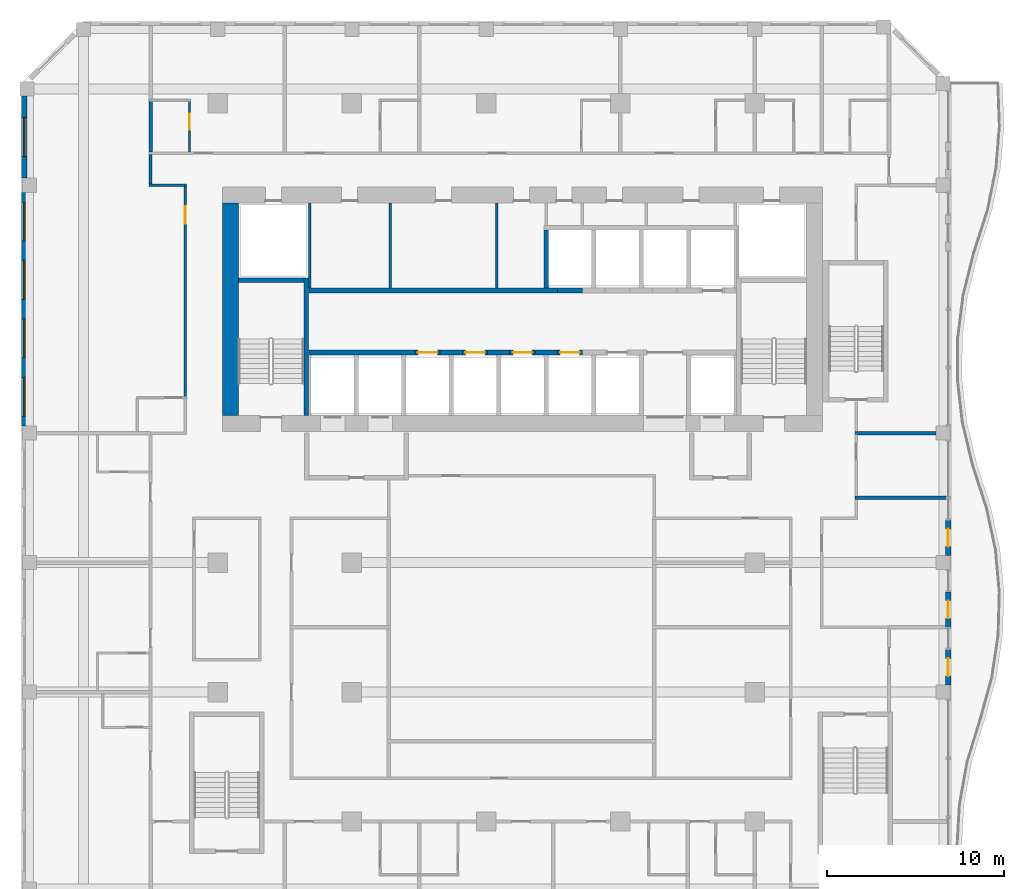
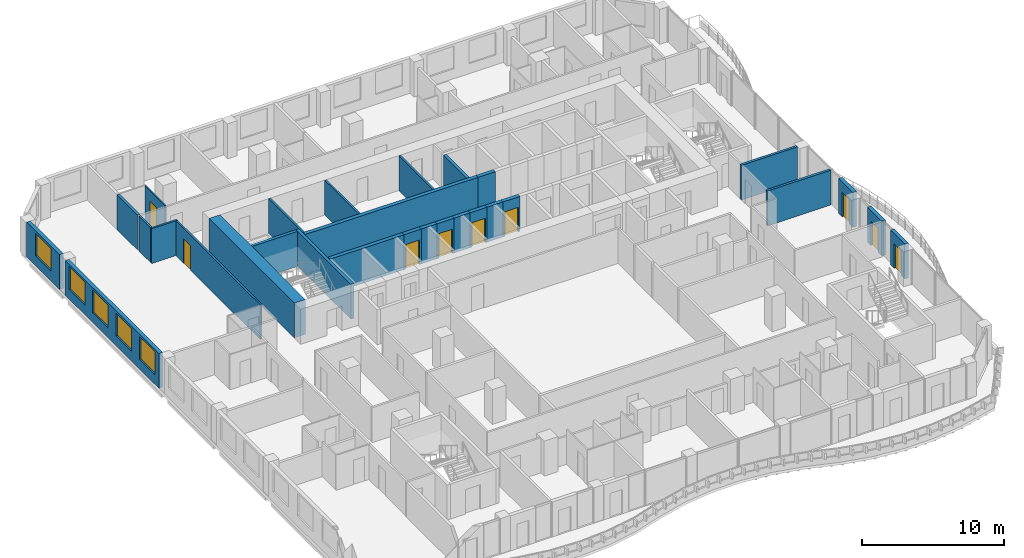
# One storey, part 14 of 23: 29 walls, 9 doors, 5 windows, 14 openings.
"""IFC4 building model written with IfcOpenShell, lengths in metres."""

from ifc_helpers import new_model, si_unit, direction, frame, frame_2d, origin, place, context, subcontext, project, spatial, rectangle, extrude, source, transform, mapped, material, layer, layer_set, type_object, element, fill, save


model = new_model("IFC4")

# Units and contexts
model_context = context("Model", 3, precision=1e-05, world=origin(), true_north=direction((0.0, 1.0)))
body_context = subcontext(model_context, "Body", "Model", "MODEL_VIEW")
ifc_project = project(units=[si_unit("LENGTHUNIT", "METRE"), si_unit("AREAUNIT", "SQUARE_METRE"), si_unit("VOLUMEUNIT", "CUBIC_METRE"), si_unit("PLANEANGLEUNIT", "RADIAN"), si_unit("MASSUNIT", "GRAM", prefix="KILO")], contexts=[model_context])

# Site, building, storey
site_placement = place(None, origin())
site = spatial("IfcSite", under=ifc_project, at=site_placement, CompositionType="ELEMENT")
building_placement = place(site_placement, origin())
building = spatial("IfcBuilding", under=site, at=building_placement, Name="Kilnfold Tower and Market Hall", CompositionType="ELEMENT")
storey_placement = place(building_placement, frame((0.0, 0.0, 160.89990234375)))
storey = spatial("IfcBuildingStorey", under=building, at=storey_placement, Name="L37", CompositionType="ELEMENT", Elevation=160.89990234375)

# Wall, opening, door
ifc_material_1 = material(Name="Gypsum board on steel studs", Category="steel")
ifc_layer_1 = layer(ifc_material_1, 0.14990234375)
ifc_layer_set_1 = layer_set([ifc_layer_1], Name="Gypsum board on steel studs")
wall_type_1 = type_object("IfcWallType", Name="WALL CORRIDOR 150", PredefinedType="PARTITIONING", material=ifc_layer_set_1)
wall_1_placement = place(storey_placement, frame((-18.0, 10.0400390625, 0.0), z_axis=(0.0, 0.0, 1.0), x_axis=(0.0, 1.0, 0.0)))
wall_1 = element("IfcWall", 1, at=wall_1_placement, inside=storey, type_object=wall_type_1, Name="Partition LY24.16", PredefinedType="PARTITIONING", context=body_context, shape_type="SweptSolid", body=[
    extrude(rectangle(XDim=11.885009765625, YDim=0.14990234375, at=frame_2d((5.9423828125, 0.0))), origin(), (0.0, 0.0, 1.0), 3.0),
])
opening_1_placement = place(wall_1_placement, frame((9.778076171875, 0.0, 0.0)))
opening_1 = element("IfcOpeningElement", 2, at=opening_1_placement, cuts=wall_1, Name="Opening D1", PredefinedType="OPENING", context=body_context, shape_type="SweptSolid", body=[
    extrude(rectangle(XDim=1.0, YDim=2.10009765625, at=frame_2d((0.5, 1.050048828125))), frame((0.0, 0.0849609375, 0.0), z_axis=(0.0, -1.0, 0.0), x_axis=(1.0, 0.0, 0.0)), (0.0, 0.0, 1.0), 0.169921875),
])
ifc_material_2 = material(Name="Timber veneer door leaf in steel frame", Category="steel")
door_type_1 = type_object("IfcDoorType", Name="DOOR ENTRY 1000 X2100", OperationType="NOTDEFINED", PredefinedType="DOOR", material=ifc_material_2)
door_1_placement = place(opening_1_placement, origin())
door_1 = element("IfcDoor", 3, at=door_1_placement, inside=storey, type_object=door_type_1, Name="Door D1", OperationType="SINGLE_SWING_RIGHT", OverallHeight=2.10009765625, OverallWidth=1.0, PredefinedType="DOOR", context=body_context, shape_type="SweptSolid", body=[
    extrude(rectangle(XDim=1.0, YDim=2.10009765625, at=frame_2d((0.5, 1.050048828125))), frame((0.0, 0.02490234375, 0.0), z_axis=(0.0, -1.0, 0.0), x_axis=(1.0, 0.0, 0.0)), (0.0, 0.0, 1.0), 0.050048828125),
])
fill(opening_1, door_1)

# Walls
wall_2_placement = place(storey_placement, frame((-20.033935546875, 22.0, 0.0), z_axis=(0.0, 0.0, 1.0), x_axis=(1.0, 0.0, 0.0)))
element("IfcWall", 4, at=wall_2_placement, inside=storey, type_object=wall_type_1, Name="Partition LY24.17", PredefinedType="PARTITIONING", context=body_context, shape_type="SweptSolid", body=[
    extrude(rectangle(XDim=2.10888671875, YDim=0.14990234375, at=frame_2d((1.054443359375, 0.0))), origin(), (0.0, 0.0, 1.0), 3.0),
])
wall_3_placement = place(storey_placement, frame((-19.958984375, 22.074951171875, 0.0), z_axis=(0.0, 0.0, 1.0), x_axis=(0.0, 1.0, 0.0)))
element("IfcWall", 5, at=wall_3_placement, inside=storey, type_object=wall_type_1, Name="Partition LY24.18", PredefinedType="PARTITIONING", context=body_context, shape_type="SweptSolid", body=[
    extrude(rectangle(XDim=1.650146484375, YDim=0.14990234375, at=frame_2d((0.8251953125, 0.0))), origin(), (0.0, 0.0, 1.0), 3.0),
])

# Wall, opening, door
ifc_material_3 = material(Name="Gypsum board on steel studs", Category="steel")
ifc_layer_2 = layer(ifc_material_3, 0.10009765625)
ifc_layer_set_2 = layer_set([ifc_layer_2], Name="Gypsum board on steel studs")
wall_type_2 = type_object("IfcWallType", Name="WALL PARTITION 100", PredefinedType="PARTITIONING", material=ifc_layer_set_2)
wall_4_placement = place(storey_placement, frame((-17.759033203125, 26.751953125, 0.0), z_axis=(0.0, 0.0, 1.0), x_axis=(0.0, -1.0, 0.0)))
wall_4 = element("IfcWall", 6, at=wall_4_placement, inside=storey, type_object=wall_type_2, Name="Partition LY24.78", PredefinedType="PARTITIONING", context=body_context, shape_type="SweptSolid", body=[
    extrude(rectangle(XDim=2.875, YDim=0.10009765625, at=frame_2d((1.4375, 0.0))), origin(), (0.0, 0.0, 1.0), 3.0),
])
opening_2_placement = place(wall_4_placement, frame((0.72509765625, 0.0, 0.0)))
opening_2 = element("IfcOpeningElement", 7, at=opening_2_placement, cuts=wall_4, Name="Opening D3", PredefinedType="OPENING", context=body_context, shape_type="SweptSolid", body=[
    extrude(rectangle(XDim=0.89990234375, YDim=2.10009765625, at=frame_2d((0.449951171875, 1.050048828125))), frame((0.0, 0.06005859375, 0.0), z_axis=(0.0, -1.0, 0.0), x_axis=(1.0, 0.0, 0.0)), (0.0, 0.0, 1.0), 0.1201171875),
])
ifc_material_4 = material(Name="Timber veneer door leaf in steel frame", Category="steel")
door_type_2 = type_object("IfcDoorType", Name="DOOR WC 900 X2100", OperationType="NOTDEFINED", PredefinedType="DOOR", material=ifc_material_4)
door_2_placement = place(opening_2_placement, origin())
door_2 = element("IfcDoor", 8, at=door_2_placement, inside=storey, type_object=door_type_2, Name="Door D3", OperationType="SINGLE_SWING_RIGHT", OverallHeight=2.10009765625, OverallWidth=0.89990234375, PredefinedType="DOOR", context=body_context, shape_type="SweptSolid", body=[
    extrude(rectangle(XDim=0.89990234375, YDim=2.10009765625, at=frame_2d((0.449951171875, 1.050048828125))), frame((0.0, 0.02490234375, 0.0), z_axis=(0.0, -1.0, 0.0), x_axis=(1.0, 0.0, 0.0)), (0.0, 0.0, 1.0), 0.050048828125),
])
fill(opening_2, door_2)

# Walls
ifc_material_5 = material(Name="Gypsum board on steel studs", Category="steel")
ifc_layer_3 = layer(ifc_material_5, 0.199951171875)
ifc_layer_set_3 = layer_set([ifc_layer_3], Name="Gypsum board on steel studs")
wall_type_3 = type_object("IfcWallType", Name="WALL PARTY 200", PredefinedType="PARTITIONING", material=ifc_layer_set_3)
wall_5_placement = place(storey_placement, frame((-19.958984375, 23.876953125, 0.0), z_axis=(0.0, 0.0, 1.0), x_axis=(0.0, 1.0, 0.0)))
element("IfcWall", 9, at=wall_5_placement, inside=storey, type_object=wall_type_3, Name="Partition LY24.77", PredefinedType="PARTITIONING", context=body_context, shape_type="SweptSolid", body=[
    extrude(rectangle(XDim=2.885009765625, YDim=0.199951171875, at=frame_2d((1.4423828125, 0.0))), origin(), (0.0, 0.0, 1.0), 3.0),
])
wall_6_placement = place(storey_placement, frame((19.826904296875, 8.0, 0.0), z_axis=(0.0, 0.0, 1.0), x_axis=(1.0, 0.0, 0.0)))
element("IfcWall", 10, at=wall_6_placement, inside=storey, type_object=wall_type_3, Name="Partition LY24.101", PredefinedType="PARTITIONING", context=body_context, shape_type="SweptSolid", body=[
    extrude(rectangle(XDim=4.572998046875, YDim=0.199951171875, at=frame_2d((2.28662109375, 0.0))), origin(), (0.0, 0.0, 1.0), 3.0),
])
wall_7_placement = place(storey_placement, frame((19.826904296875, 4.343994140625, 0.0), z_axis=(0.0, 0.0, 1.0), x_axis=(1.0, 0.0, 0.0)))
element("IfcWall", 11, at=wall_7_placement, inside=storey, type_object=wall_type_3, Name="Partition LY24.102", PredefinedType="PARTITIONING", context=body_context, shape_type="SweptSolid", body=[
    extrude(rectangle(XDim=5.173095703125, YDim=0.199951171875, at=frame_2d((2.58642578125, 0.0))), origin(), (0.0, 0.0, 1.0), 3.0),
])
ifc_material_6 = material(Name="Concrete C70", Category="concrete")
ifc_layer_4 = layer(ifc_material_6, 0.89990234375)
ifc_layer_set_4 = layer_set([ifc_layer_4], Name="Concrete C70")
wall_type_4 = type_object("IfcWallType", Name="CORE WALL 900 C70", PredefinedType="SHEAR", material=ifc_layer_set_4)
shared_shape_1 = source(origin(), body_context, "Body", "SweptSolid", [
    extrude(rectangle(XDim=12.0, YDim=0.89990234375, at=frame_2d((6.0, 0.0))), origin(), (0.0, 0.0, 1.0), 3.0),
])
wall_8_placement = place(storey_placement, frame((-15.449951171875, 9.0, 0.0), z_axis=(0.0, 0.0, 1.0), x_axis=(0.0, 1.0, 0.0)))
element("IfcWall", 12, at=wall_8_placement, inside=storey, type_object=wall_type_4, Name="Core outer wall west", PredefinedType="SHEAR", context=body_context, shape_type="MappedRepresentation", body=[
    mapped(shared_shape_1, transform((0.0, 0.0, 0.0))),
])
ifc_material_7 = material(Name="Concrete C70", Category="concrete")
ifc_layer_5 = layer(ifc_material_7, 0.25)
ifc_layer_set_5 = layer_set([ifc_layer_5], Name="Concrete C70")
wall_type_5 = type_object("IfcWallType", Name="CORE WALL 250 C70", PredefinedType="SHEAR", material=ifc_layer_set_5)
shared_shape_2 = source(origin(), body_context, "Body", "SweptSolid", [
    extrude(rectangle(XDim=7.75, YDim=0.25, at=frame_2d((3.875, 0.0))), origin(), (0.0, 0.0, 1.0), 3.0),
])
wall_9_placement = place(storey_placement, frame((-11.175048828125, 9.0, 0.0), z_axis=(0.0, 0.0, 1.0), x_axis=(0.0, 1.0, 0.0)))
element("IfcWall", 13, at=wall_9_placement, inside=storey, type_object=wall_type_5, Name="Stair enclosure ST1", PredefinedType="SHEAR", context=body_context, shape_type="MappedRepresentation", body=[
    mapped(shared_shape_2, transform((0.0, 0.0, 0.0))),
])
shared_shape_3 = source(origin(), body_context, "Body", "SweptSolid", [
    extrude(rectangle(XDim=3.699951171875, YDim=0.25, at=frame_2d((1.85009765625, 0.0))), origin(), (0.0, 0.0, 1.0), 3.0),
])
wall_10_placement = place(storey_placement, frame((-15.0, 16.625, 0.0), z_axis=(0.0, 0.0, 1.0), x_axis=(1.0, 0.0, 0.0)))
element("IfcWall", 14, at=wall_10_placement, inside=storey, type_object=wall_type_5, Name="Stair enclosure ST1", PredefinedType="SHEAR", context=body_context, shape_type="MappedRepresentation", body=[
    mapped(shared_shape_3, transform((0.0, 0.0, 0.0))),
])
ifc_material_8 = material(Name="Concrete C70", Category="concrete")
ifc_layer_6 = layer(ifc_material_8, 0.300048828125)
ifc_layer_set_6 = layer_set([ifc_layer_6], Name="Concrete C70")
wall_type_6 = type_object("IfcWallType", Name="CORE WALL 300 C70", PredefinedType="SHEAR", material=ifc_layer_set_6)
shared_shape_4 = source(origin(), body_context, "Body", "SweptSolid", [
    extrude(rectangle(XDim=6.0, YDim=0.300048828125, at=frame_2d((3.0, 0.0))), origin(), (0.0, 0.0, 1.0), 3.0),
])
wall_11_placement = place(storey_placement, frame((-11.010009765625, 12.550048828125, 0.0), z_axis=(0.0, 0.0, 1.0), x_axis=(1.0, 0.0, 0.0)))
element("IfcWall", 15, at=wall_11_placement, inside=storey, type_object=wall_type_6, Name="Core spine wall", PredefinedType="SHEAR", context=body_context, shape_type="MappedRepresentation", body=[
    mapped(shared_shape_4, transform((0.0, 0.0, 0.0))),
])
shared_shape_5 = source(origin(), body_context, "Body", "SweptSolid", [
    extrude(rectangle(XDim=1.280029296875, YDim=0.300048828125, at=frame_2d((0.64013671875, 0.0))), origin(), (0.0, 0.0, 1.0), 3.0),
])
for number, where, z_axis, x_axis, name in (
    (16, (-3.610107421875, 12.550048828125, 0.0), (0.0, 0.0, 1.0), (1.0, 0.0, 0.0), "Core spine wall"),
    (17, (-0.929931640625, 12.550048828125, 0.0), (0.0, 0.0, 1.0), (1.0, 0.0, 0.0), "Core spine wall"),
    (18, (1.75, 12.550048828125, 0.0), (0.0, 0.0, 1.0), (1.0, 0.0, 0.0), "Core spine wall"),
):
    element("IfcWall", number, at=place(storey_placement, frame(where, z_axis=z_axis, x_axis=x_axis)), inside=storey, type_object=wall_type_6, Name=name, PredefinedType="SHEAR", context=body_context, shape_type="MappedRepresentation", body=[
        mapped(shared_shape_5, transform((0.0, 0.0, 0.0))),
    ])
shared_shape_6 = source(origin(), body_context, "Body", "SweptSolid", [
    extrude(rectangle(XDim=14.0400390625, YDim=0.300048828125, at=frame_2d((7.02001953125, 0.0))), origin(), (0.0, 0.0, 1.0), 3.0),
])
wall_12_placement = place(storey_placement, frame((-11.010009765625, 16.050048828125, 0.0), z_axis=(0.0, 0.0, 1.0), x_axis=(1.0, 0.0, 0.0)))
element("IfcWall", 19, at=wall_12_placement, inside=storey, type_object=wall_type_6, Name="Core spine wall", PredefinedType="SHEAR", context=body_context, shape_type="MappedRepresentation", body=[
    mapped(shared_shape_6, transform((0.0, 0.0, 0.0))),
])

# Wall, opening, door
ifc_material_9 = material(Name="Precast concrete C50/60", Category="concrete")
ifc_layer_7 = layer(ifc_material_9, 0.300048828125)
ifc_layer_set_7 = layer_set([ifc_layer_7], Name="Precast concrete C50/60")
wall_type_7 = type_object("IfcWallType", Name="PRECAST WALL 300", PredefinedType="SOLIDWALL", material=ifc_layer_set_7)
shared_shape_7 = source(origin(), body_context, "Body", "SweptSolid", [
    extrude(rectangle(XDim=2.0, YDim=0.300048828125, at=frame_2d((1.0, 0.0))), origin(), (0.0, 0.0, 1.0), 3.0),
])
wall_13_placement = place(storey_placement, frame((25.10009765625, -6.22509765625, 0.0), z_axis=(0.0, 0.0, 1.0), x_axis=(0.0, 1.0, 0.0)))
wall_13 = element("IfcWall", 20, at=wall_13_placement, inside=storey, type_object=wall_type_7, Name="External wall L37 E", PredefinedType="SOLIDWALL", context=body_context, shape_type="MappedRepresentation", body=[
    mapped(shared_shape_7, transform((0.0, 0.0, 0.0))),
])
opening_3_placement = place(wall_13_placement, frame((0.5, 0.0, 0.0)))
opening_3 = element("IfcOpeningElement", 21, at=opening_3_placement, cuts=wall_13, Name="Opening BD1", PredefinedType="OPENING", context=body_context, shape_type="SweptSolid", body=[
    extrude(rectangle(XDim=1.0, YDim=2.10009765625, at=frame_2d((0.5, 1.050048828125))), frame((0.0, 0.16015625, 0.0), z_axis=(0.0, -1.0, 0.0), x_axis=(1.0, 0.0, 0.0)), (0.0, 0.0, 1.0), 0.320068359375),
])
ifc_material_10 = material(Name="Aluminium frame and double glazing", Category="aluminium")
door_type_3 = type_object("IfcDoorType", Name="BALCONY DOOR 1000X2100", OperationType="NOTDEFINED", PredefinedType="DOOR", material=ifc_material_10)
door_3_placement = place(opening_3_placement, origin())
door_3 = element("IfcDoor", 22, at=door_3_placement, inside=storey, type_object=door_type_3, Name="Balcony door BD1 L37 E-1", OperationType="SINGLE_SWING_LEFT", OverallHeight=2.10009765625, OverallWidth=1.0, PredefinedType="DOOR", context=body_context, shape_type="SweptSolid", body=[
    extrude(rectangle(XDim=1.0, YDim=2.10009765625, at=frame_2d((0.5, 1.050048828125))), frame((0.0, 0.02490234375, 0.0), z_axis=(0.0, -1.0, 0.0), x_axis=(1.0, 0.0, 0.0)), (0.0, 0.0, 1.0), 0.050048828125),
])
fill(opening_3, door_3)

wall_14_placement = place(storey_placement, frame((25.10009765625, -2.96875, 0.0), z_axis=(0.0, 0.0, 1.0), x_axis=(0.0, 1.0, 0.0)))
wall_14 = element("IfcWall", 23, at=wall_14_placement, inside=storey, type_object=wall_type_7, Name="External wall L37 E", PredefinedType="SOLIDWALL", context=body_context, shape_type="MappedRepresentation", body=[
    mapped(shared_shape_7, transform((0.0, 0.0, 0.0))),
])
opening_4_placement = place(wall_14_placement, frame((0.5, 0.0, 0.0)))
opening_4 = element("IfcOpeningElement", 24, at=opening_4_placement, cuts=wall_14, Name="Opening BD1", PredefinedType="OPENING", context=body_context, shape_type="SweptSolid", body=[
    extrude(rectangle(XDim=1.0, YDim=2.10009765625, at=frame_2d((0.5, 1.050048828125))), frame((0.0, 0.16015625, 0.0), z_axis=(0.0, -1.0, 0.0), x_axis=(1.0, 0.0, 0.0)), (0.0, 0.0, 1.0), 0.320068359375),
])
door_4_placement = place(opening_4_placement, origin())
door_4 = element("IfcDoor", 25, at=door_4_placement, inside=storey, type_object=door_type_3, Name="Balcony door BD1 L37 E-2", OperationType="SINGLE_SWING_RIGHT", OverallHeight=2.10009765625, OverallWidth=1.0, PredefinedType="DOOR", context=body_context, shape_type="SweptSolid", body=[
    extrude(rectangle(XDim=1.0, YDim=2.10009765625, at=frame_2d((0.5, 1.050048828125))), frame((0.0, 0.02490234375, 0.0), z_axis=(0.0, -1.0, 0.0), x_axis=(1.0, 0.0, 0.0)), (0.0, 0.0, 1.0), 0.050048828125),
])
fill(opening_4, door_4)

wall_15_placement = place(storey_placement, frame((25.10009765625, 1.08740234375, 0.0), z_axis=(0.0, 0.0, 1.0), x_axis=(0.0, 1.0, 0.0)))
wall_15 = element("IfcWall", 26, at=wall_15_placement, inside=storey, type_object=wall_type_7, Name="External wall L37 E", PredefinedType="SOLIDWALL", context=body_context, shape_type="MappedRepresentation", body=[
    mapped(shared_shape_7, transform((0.0, 0.0, 0.0))),
])
opening_5_placement = place(wall_15_placement, frame((0.5, 0.0, 0.0)))
opening_5 = element("IfcOpeningElement", 27, at=opening_5_placement, cuts=wall_15, Name="Opening BD1", PredefinedType="OPENING", context=body_context, shape_type="SweptSolid", body=[
    extrude(rectangle(XDim=1.0, YDim=2.10009765625, at=frame_2d((0.5, 1.050048828125))), frame((0.0, 0.16015625, 0.0), z_axis=(0.0, -1.0, 0.0), x_axis=(1.0, 0.0, 0.0)), (0.0, 0.0, 1.0), 0.320068359375),
])
door_5_placement = place(opening_5_placement, origin())
door_5 = element("IfcDoor", 28, at=door_5_placement, inside=storey, type_object=door_type_3, Name="Balcony door BD1 L37 E-1", OperationType="SINGLE_SWING_LEFT", OverallHeight=2.10009765625, OverallWidth=1.0, PredefinedType="DOOR", context=body_context, shape_type="SweptSolid", body=[
    extrude(rectangle(XDim=1.0, YDim=2.10009765625, at=frame_2d((0.5, 1.050048828125))), frame((0.0, 0.02490234375, 0.0), z_axis=(0.0, -1.0, 0.0), x_axis=(1.0, 0.0, 0.0)), (0.0, 0.0, 1.0), 0.050048828125),
])
fill(opening_5, door_5)

# Wall, opening, window
shared_shape_8 = source(origin(), body_context, "Body", "SweptSolid", [
    extrude(rectangle(XDim=4.6318359375, YDim=0.300048828125, at=frame_2d((2.31591796875, 0.0))), origin(), (0.0, 0.0, 1.0), 3.0),
])
wall_16_placement = place(storey_placement, frame((-27.10009765625, 27.03173828125, 0.0), z_axis=(0.0, 0.0, 1.0), x_axis=(0.0, -1.0, 0.0)))
wall_16 = element("IfcWall", 29, at=wall_16_placement, inside=storey, type_object=wall_type_7, Name="External wall L37 W", PredefinedType="SOLIDWALL", context=body_context, shape_type="MappedRepresentation", body=[
    mapped(shared_shape_8, transform((0.0, 0.0, 0.0))),
])
opening_6_placement = place(wall_16_placement, frame((1.2158203125, 0.0, 0.85009765625)))
opening_6 = element("IfcOpeningElement", 30, at=opening_6_placement, cuts=wall_16, Name="Opening W2", PredefinedType="OPENING", context=body_context, shape_type="SweptSolid", body=[
    extrude(rectangle(XDim=2.199951171875, YDim=1.949951171875, at=frame_2d((1.10009765625, 0.97509765625))), frame((0.0, 0.16015625, 0.0), z_axis=(0.0, -1.0, 0.0), x_axis=(1.0, 0.0, 0.0)), (0.0, 0.0, 1.0), 0.320068359375),
])
ifc_material_11 = material(Name="Aluminium frame and double glazing", Category="aluminium")
window_type = type_object("IfcWindowType", Name="WINDOW W2 2200X1950", PartitioningType="SINGLE_PANEL", PredefinedType="WINDOW", material=ifc_material_11)
window_1_placement = place(opening_6_placement, origin())
window_1 = element("IfcWindow", 31, at=window_1_placement, inside=storey, type_object=window_type, Name="Window W2 L37 W-1", OverallHeight=1.949951171875, OverallWidth=2.199951171875, PartitioningType="SINGLE_PANEL", PredefinedType="WINDOW", context=body_context, shape_type="SweptSolid", body=[
    extrude(rectangle(XDim=2.199951171875, YDim=1.949951171875, at=frame_2d((1.10009765625, 0.97509765625))), frame((0.0, 0.030029296875, 0.0), z_axis=(0.0, -1.0, 0.0), x_axis=(1.0, 0.0, 0.0)), (0.0, 0.0, 1.0), 0.06005859375),
])
fill(opening_6, window_1)

# Wall, openings, windows
shared_shape_9 = source(origin(), body_context, "Body", "SweptSolid", [
    extrude(rectangle(XDim=13.2001953125, YDim=0.300048828125, at=frame_2d((6.60009765625, 0.0))), origin(), (0.0, 0.0, 1.0), 3.0),
])
wall_17_placement = place(storey_placement, frame((-27.10009765625, 21.60009765625, 0.0), z_axis=(0.0, 0.0, 1.0), x_axis=(0.0, -1.0, 0.0)))
wall_17 = element("IfcWall", 32, at=wall_17_placement, inside=storey, type_object=wall_type_7, Name="External wall L37 W", PredefinedType="SOLIDWALL", context=body_context, shape_type="MappedRepresentation", body=[
    mapped(shared_shape_9, transform((0.0, 0.0, 0.0))),
])
opening_7_placement = place(wall_17_placement, frame((0.550048828125, 0.0, 0.85009765625)))
opening_7 = element("IfcOpeningElement", 33, at=opening_7_placement, cuts=wall_17, Name="Opening W2", PredefinedType="OPENING", context=body_context, shape_type="SweptSolid", body=[
    extrude(rectangle(XDim=2.199951171875, YDim=1.949951171875, at=frame_2d((1.10009765625, 0.97509765625))), frame((0.0, 0.16015625, 0.0), z_axis=(0.0, -1.0, 0.0), x_axis=(1.0, 0.0, 0.0)), (0.0, 0.0, 1.0), 0.320068359375),
])
opening_8_placement = place(wall_17_placement, frame((3.85009765625, 0.0, 0.85009765625)))
opening_8 = element("IfcOpeningElement", 34, at=opening_8_placement, cuts=wall_17, Name="Opening W2", PredefinedType="OPENING", context=body_context, shape_type="SweptSolid", body=[
    extrude(rectangle(XDim=2.199951171875, YDim=1.949951171875, at=frame_2d((1.10009765625, 0.97509765625))), frame((0.0, 0.16015625, 0.0), z_axis=(0.0, -1.0, 0.0), x_axis=(1.0, 0.0, 0.0)), (0.0, 0.0, 1.0), 0.320068359375),
])
opening_9_placement = place(wall_17_placement, frame((7.14990234375, 0.0, 0.85009765625)))
opening_9 = element("IfcOpeningElement", 35, at=opening_9_placement, cuts=wall_17, Name="Opening W2", PredefinedType="OPENING", context=body_context, shape_type="SweptSolid", body=[
    extrude(rectangle(XDim=2.199951171875, YDim=1.949951171875, at=frame_2d((1.10009765625, 0.97509765625))), frame((0.0, 0.16015625, 0.0), z_axis=(0.0, -1.0, 0.0), x_axis=(1.0, 0.0, 0.0)), (0.0, 0.0, 1.0), 0.320068359375),
])
opening_10_placement = place(wall_17_placement, frame((10.449951171875, 0.0, 0.85009765625)))
opening_10 = element("IfcOpeningElement", 36, at=opening_10_placement, cuts=wall_17, Name="Opening W2", PredefinedType="OPENING", context=body_context, shape_type="SweptSolid", body=[
    extrude(rectangle(XDim=2.199951171875, YDim=1.949951171875, at=frame_2d((1.10009765625, 0.97509765625))), frame((0.0, 0.16015625, 0.0), z_axis=(0.0, -1.0, 0.0), x_axis=(1.0, 0.0, 0.0)), (0.0, 0.0, 1.0), 0.320068359375),
])
window_2_placement = place(opening_7_placement, origin())
window_2 = element("IfcWindow", 37, at=window_2_placement, inside=storey, type_object=window_type, Name="Window W2 L37 W-1", OverallHeight=1.949951171875, OverallWidth=2.199951171875, PartitioningType="SINGLE_PANEL", PredefinedType="WINDOW", context=body_context, shape_type="SweptSolid", body=[
    extrude(rectangle(XDim=2.199951171875, YDim=1.949951171875, at=frame_2d((1.10009765625, 0.97509765625))), frame((0.0, 0.030029296875, 0.0), z_axis=(0.0, -1.0, 0.0), x_axis=(1.0, 0.0, 0.0)), (0.0, 0.0, 1.0), 0.06005859375),
])
fill(opening_7, window_2)
window_3_placement = place(opening_8_placement, origin())
window_3 = element("IfcWindow", 38, at=window_3_placement, inside=storey, type_object=window_type, Name="Window W2 L37 W-2", OverallHeight=1.949951171875, OverallWidth=2.199951171875, PartitioningType="SINGLE_PANEL", PredefinedType="WINDOW", context=body_context, shape_type="SweptSolid", body=[
    extrude(rectangle(XDim=2.199951171875, YDim=1.949951171875, at=frame_2d((1.10009765625, 0.97509765625))), frame((0.0, 0.030029296875, 0.0), z_axis=(0.0, -1.0, 0.0), x_axis=(1.0, 0.0, 0.0)), (0.0, 0.0, 1.0), 0.06005859375),
])
fill(opening_8, window_3)
window_4_placement = place(opening_9_placement, origin())
window_4 = element("IfcWindow", 39, at=window_4_placement, inside=storey, type_object=window_type, Name="Window W2 L37 W-3", OverallHeight=1.949951171875, OverallWidth=2.199951171875, PartitioningType="SINGLE_PANEL", PredefinedType="WINDOW", context=body_context, shape_type="SweptSolid", body=[
    extrude(rectangle(XDim=2.199951171875, YDim=1.949951171875, at=frame_2d((1.10009765625, 0.97509765625))), frame((0.0, 0.030029296875, 0.0), z_axis=(0.0, -1.0, 0.0), x_axis=(1.0, 0.0, 0.0)), (0.0, 0.0, 1.0), 0.06005859375),
])
fill(opening_9, window_4)
window_5_placement = place(opening_10_placement, origin())
window_5 = element("IfcWindow", 40, at=window_5_placement, inside=storey, type_object=window_type, Name="Window W2 L37 W-4", OverallHeight=1.949951171875, OverallWidth=2.199951171875, PartitioningType="SINGLE_PANEL", PredefinedType="WINDOW", context=body_context, shape_type="SweptSolid", body=[
    extrude(rectangle(XDim=2.199951171875, YDim=1.949951171875, at=frame_2d((1.10009765625, 0.97509765625))), frame((0.0, 0.030029296875, 0.0), z_axis=(0.0, -1.0, 0.0), x_axis=(1.0, 0.0, 0.0)), (0.0, 0.0, 1.0), 0.06005859375),
])
fill(opening_10, window_5)

# Wall, opening, door
ifc_material_12 = material(Name="Gypsum shaft wall system")
ifc_layer_8 = layer(ifc_material_12, 0.300048828125)
ifc_layer_set_8 = layer_set([ifc_layer_8], Name="Gypsum shaft wall system")
wall_type_8 = type_object("IfcWallType", Name="SHAFT WALL 300", PredefinedType="PARTITIONING", material=ifc_layer_set_8)
shared_shape_10 = source(origin(), body_context, "Body", "SweptSolid", [
    extrude(rectangle(XDim=1.39990234375, YDim=0.300048828125, at=frame_2d((0.699951171875, 0.0))), origin(), (0.0, 0.0, 1.0), 3.0),
])
wall_18_placement = place(storey_placement, frame((-5.010009765625, 12.550048828125, 0.0), z_axis=(0.0, 0.0, 1.0), x_axis=(1.0, 0.0, 0.0)))
wall_18 = element("IfcWall", 41, at=wall_18_placement, inside=storey, type_object=wall_type_8, Name="Lift shaft front wall", PredefinedType="PARTITIONING", context=body_context, shape_type="MappedRepresentation", body=[
    mapped(shared_shape_10, transform((0.0, 0.0, 0.0))),
])
opening_11_placement = place(wall_18_placement, frame((0.14990234375, 0.0, 0.0)))
opening_11 = element("IfcOpeningElement", 42, at=opening_11_placement, cuts=wall_18, Name="Opening LD2", PredefinedType="OPENING", context=body_context, shape_type="SweptSolid", body=[
    extrude(rectangle(XDim=1.10009765625, YDim=2.10009765625, at=frame_2d((0.550048828125, 1.050048828125))), frame((0.0, 0.16015625, 0.0), z_axis=(0.0, -1.0, 0.0), x_axis=(1.0, 0.0, 0.0)), (0.0, 0.0, 1.0), 0.320068359375),
])
ifc_material_13 = material(Name="Steel door set with fire-resisting leaf", Category="steel")
door_type_4 = type_object("IfcDoorType", Name="LANDING DOOR 1100X2100", OperationType="NOTDEFINED", PredefinedType="DOOR", material=ifc_material_13)
door_6_placement = place(opening_11_placement, origin())
door_6 = element("IfcDoor", 43, at=door_6_placement, inside=storey, type_object=door_type_4, Name="Landing door MR1", OperationType="DOUBLE_DOOR_SLIDING", OverallHeight=2.10009765625, OverallWidth=1.10009765625, PredefinedType="DOOR", context=body_context, shape_type="SweptSolid", body=[
    extrude(rectangle(XDim=1.10009765625, YDim=2.10009765625, at=frame_2d((0.550048828125, 1.050048828125))), frame((0.0, 0.02490234375, 0.0), z_axis=(0.0, -1.0, 0.0), x_axis=(1.0, 0.0, 0.0)), (0.0, 0.0, 1.0), 0.050048828125),
])
fill(opening_11, door_6)

wall_19_placement = place(storey_placement, frame((0.35009765625, 12.550048828125, 0.0), z_axis=(0.0, 0.0, 1.0), x_axis=(1.0, 0.0, 0.0)))
wall_19 = element("IfcWall", 44, at=wall_19_placement, inside=storey, type_object=wall_type_8, Name="Lift shaft front wall", PredefinedType="PARTITIONING", context=body_context, shape_type="MappedRepresentation", body=[
    mapped(shared_shape_10, transform((0.0, 0.0, 0.0))),
])
opening_12_placement = place(wall_19_placement, frame((0.14990234375, 0.0, 0.0)))
opening_12 = element("IfcOpeningElement", 45, at=opening_12_placement, cuts=wall_19, Name="Opening LD2", PredefinedType="OPENING", context=body_context, shape_type="SweptSolid", body=[
    extrude(rectangle(XDim=1.10009765625, YDim=2.10009765625, at=frame_2d((0.550048828125, 1.050048828125))), frame((0.0, 0.16015625, 0.0), z_axis=(0.0, -1.0, 0.0), x_axis=(1.0, 0.0, 0.0)), (0.0, 0.0, 1.0), 0.320068359375),
])
door_7_placement = place(opening_12_placement, origin())
door_7 = element("IfcDoor", 46, at=door_7_placement, inside=storey, type_object=door_type_4, Name="Landing door MR3", OperationType="DOUBLE_DOOR_SLIDING", OverallHeight=2.10009765625, OverallWidth=1.10009765625, PredefinedType="DOOR", context=body_context, shape_type="SweptSolid", body=[
    extrude(rectangle(XDim=1.10009765625, YDim=2.10009765625, at=frame_2d((0.550048828125, 1.050048828125))), frame((0.0, 0.02490234375, 0.0), z_axis=(0.0, -1.0, 0.0), x_axis=(1.0, 0.0, 0.0)), (0.0, 0.0, 1.0), 0.050048828125),
])
fill(opening_12, door_7)

wall_20_placement = place(storey_placement, frame((3.030029296875, 12.550048828125, 0.0), z_axis=(0.0, 0.0, 1.0), x_axis=(1.0, 0.0, 0.0)))
wall_20 = element("IfcWall", 47, at=wall_20_placement, inside=storey, type_object=wall_type_8, Name="Lift shaft front wall", PredefinedType="PARTITIONING", context=body_context, shape_type="MappedRepresentation", body=[
    mapped(shared_shape_10, transform((0.0, 0.0, 0.0))),
])
opening_13_placement = place(wall_20_placement, frame((0.14990234375, 0.0, 0.0)))
opening_13 = element("IfcOpeningElement", 48, at=opening_13_placement, cuts=wall_20, Name="Opening LD2", PredefinedType="OPENING", context=body_context, shape_type="SweptSolid", body=[
    extrude(rectangle(XDim=1.10009765625, YDim=2.10009765625, at=frame_2d((0.550048828125, 1.050048828125))), frame((0.0, 0.16015625, 0.0), z_axis=(0.0, -1.0, 0.0), x_axis=(1.0, 0.0, 0.0)), (0.0, 0.0, 1.0), 0.320068359375),
])
door_8_placement = place(opening_13_placement, origin())
door_8 = element("IfcDoor", 49, at=door_8_placement, inside=storey, type_object=door_type_4, Name="Landing door MR4", OperationType="DOUBLE_DOOR_SLIDING", OverallHeight=2.10009765625, OverallWidth=1.10009765625, PredefinedType="DOOR", context=body_context, shape_type="SweptSolid", body=[
    extrude(rectangle(XDim=1.10009765625, YDim=2.10009765625, at=frame_2d((0.550048828125, 1.050048828125))), frame((0.0, 0.02490234375, 0.0), z_axis=(0.0, -1.0, 0.0), x_axis=(1.0, 0.0, 0.0)), (0.0, 0.0, 1.0), 0.050048828125),
])
fill(opening_13, door_8)

# Wall
wall_21_placement = place(storey_placement, frame((3.030029296875, 16.050048828125, 0.0), z_axis=(0.0, 0.0, 1.0), x_axis=(1.0, 0.0, 0.0)))
element("IfcWall", 50, at=wall_21_placement, inside=storey, type_object=wall_type_8, Name="Lift shaft front wall", PredefinedType="PARTITIONING", context=body_context, shape_type="MappedRepresentation", body=[
    mapped(shared_shape_10, transform((0.0, 0.0, 0.0))),
])

# Wall, opening, door
shared_shape_11 = source(origin(), body_context, "Body", "SweptSolid", [
    extrude(rectangle(XDim=1.400146484375, YDim=0.300048828125, at=frame_2d((0.7001953125, 0.0))), origin(), (0.0, 0.0, 1.0), 3.0),
])
wall_22_placement = place(storey_placement, frame((-2.330078125, 12.550048828125, 0.0), z_axis=(0.0, 0.0, 1.0), x_axis=(1.0, 0.0, 0.0)))
wall_22 = element("IfcWall", 51, at=wall_22_placement, inside=storey, type_object=wall_type_8, Name="Lift shaft front wall", PredefinedType="PARTITIONING", context=body_context, shape_type="MappedRepresentation", body=[
    mapped(shared_shape_11, transform((0.0, 0.0, 0.0))),
])
opening_14_placement = place(wall_22_placement, frame((0.14990234375, 0.0, 0.0)))
opening_14 = element("IfcOpeningElement", 52, at=opening_14_placement, cuts=wall_22, Name="Opening LD2", PredefinedType="OPENING", context=body_context, shape_type="SweptSolid", body=[
    extrude(rectangle(XDim=1.10009765625, YDim=2.10009765625, at=frame_2d((0.550048828125, 1.050048828125))), frame((0.0, 0.16015625, 0.0), z_axis=(0.0, -1.0, 0.0), x_axis=(1.0, 0.0, 0.0)), (0.0, 0.0, 1.0), 0.320068359375),
])
door_9_placement = place(opening_14_placement, origin())
door_9 = element("IfcDoor", 53, at=door_9_placement, inside=storey, type_object=door_type_4, Name="Landing door MR2", OperationType="DOUBLE_DOOR_SLIDING", OverallHeight=2.10009765625, OverallWidth=1.10009765625, PredefinedType="DOOR", context=body_context, shape_type="SweptSolid", body=[
    extrude(rectangle(XDim=1.10009765625, YDim=2.10009765625, at=frame_2d((0.550048828125, 1.050048828125))), frame((0.0, 0.02490234375, 0.0), z_axis=(0.0, -1.0, 0.0), x_axis=(1.0, 0.0, 0.0)), (0.0, 0.0, 1.0), 0.050048828125),
])
fill(opening_14, door_9)

# Walls
ifc_material_14 = material(Name="Gypsum shaft wall system")
ifc_layer_9 = layer(ifc_material_14, 0.1650390625)
ifc_layer_set_9 = layer_set([ifc_layer_9], Name="Gypsum shaft wall system")
wall_type_9 = type_object("IfcWallType", Name="SHAFT WALL 165", PredefinedType="PARTITIONING", material=ifc_layer_set_9)
shared_shape_12 = source(origin(), body_context, "Body", "SweptSolid", [
    extrude(rectangle(XDim=4.800048828125, YDim=0.1650390625, at=frame_2d((2.39990234375, 0.0))), origin(), (0.0, 0.0, 1.0), 3.0),
])
wall_23_placement = place(storey_placement, frame((-10.967529296875, 16.199951171875, 0.0), z_axis=(0.0, 0.0, 1.0), x_axis=(0.0, 1.0, 0.0)))
element("IfcWall", 54, at=wall_23_placement, inside=storey, type_object=wall_type_9, Name="Lift shaft wall", PredefinedType="PARTITIONING", context=body_context, shape_type="MappedRepresentation", body=[
    mapped(shared_shape_12, transform((0.0, 0.0, 0.0))),
])
ifc_material_15 = material(Name="Gypsum shaft wall system")
ifc_layer_10 = layer(ifc_material_15, 0.25)
ifc_layer_set_10 = layer_set([ifc_layer_10], Name="Gypsum shaft wall system")
wall_type_10 = type_object("IfcWallType", Name="SHAFT WALL 250", PredefinedType="PARTITIONING", material=ifc_layer_set_10)
shared_shape_13 = source(origin(), body_context, "Body", "SweptSolid", [
    extrude(rectangle(XDim=3.275146484375, YDim=0.25, at=frame_2d((1.6376953125, 0.0))), origin(), (0.0, 0.0, 1.0), 3.0),
])
wall_24_placement = place(storey_placement, frame((2.389892578125, 16.199951171875, 0.0), z_axis=(0.0, 0.0, 1.0), x_axis=(0.0, 1.0, 0.0)))
element("IfcWall", 55, at=wall_24_placement, inside=storey, type_object=wall_type_10, Name="Lift shaft wall", PredefinedType="PARTITIONING", context=body_context, shape_type="MappedRepresentation", body=[
    mapped(shared_shape_13, transform((0.0, 0.0, 0.0))),
])
ifc_material_16 = material(Name="Gypsum shaft wall system")
ifc_layer_11 = layer(ifc_material_16, 0.14990234375)
ifc_layer_set_11 = layer_set([ifc_layer_11], Name="Gypsum shaft wall system")
wall_type_11 = type_object("IfcWallType", Name="ROOM WALL 150", PredefinedType="PARTITIONING", material=ifc_layer_set_11)
shared_shape_14 = source(origin(), body_context, "Body", "SweptSolid", [
    extrude(rectangle(XDim=4.800048828125, YDim=0.14990234375, at=frame_2d((2.39990234375, 0.0))), origin(), (0.0, 0.0, 1.0), 3.0),
])
for number, where, z_axis, x_axis, name in (
    (56, (-6.42724609375, 16.199951171875, 0.0), (0.0, 0.0, 1.0), (0.0, 1.0, 0.0), "Core room wall"),
    (57, (-0.397216796875, 16.199951171875, 0.0), (0.0, 0.0, 1.0), (0.0, 1.0, 0.0), "Core room wall"),
):
    element("IfcWall", number, at=place(storey_placement, frame(where, z_axis=z_axis, x_axis=x_axis)), inside=storey, type_object=wall_type_11, Name=name, PredefinedType="PARTITIONING", context=body_context, shape_type="MappedRepresentation", body=[
        mapped(shared_shape_14, transform((0.0, 0.0, 0.0))),
    ])

save(model, "model.ifc")
